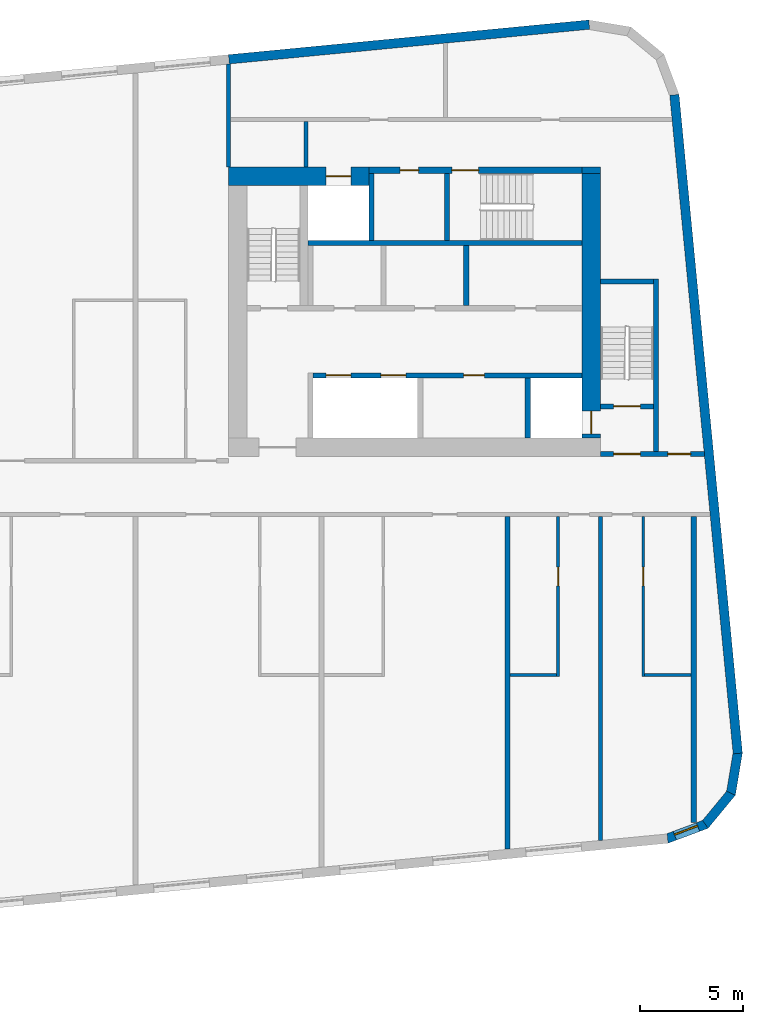
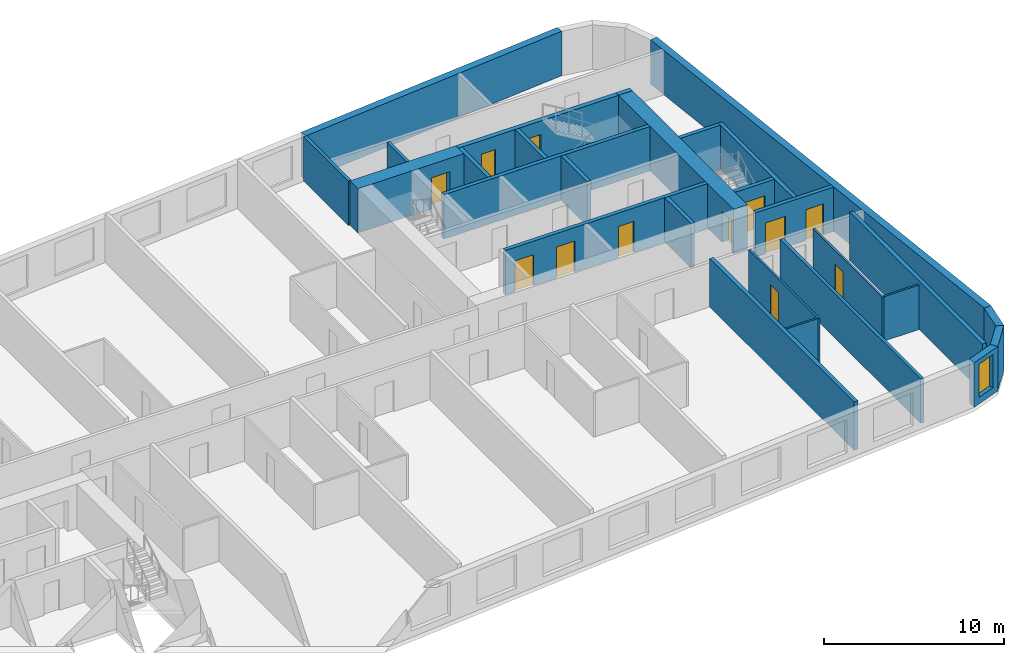
# One storey, part 6 of 11: 28 walls, 12 doors, 1 window, 13 openings.
"""IFC4 building model written with IfcOpenShell, lengths in metres."""

from ifc_helpers import new_model, si_unit, direction, frame, frame_2d, origin, place, context, subcontext, project, spatial, polyline, rectangle, outline, extrude, material, layer, layer_set, type_object, element, fill, save


model = new_model("IFC4")

# Units and contexts
model_context = context("Model", 3, precision=1e-05, world=origin(), true_north=direction((0.0, 1.0)))
body_context = subcontext(model_context, "Body", "Model", "MODEL_VIEW")
ifc_project = project(units=[si_unit("LENGTHUNIT", "METRE"), si_unit("AREAUNIT", "SQUARE_METRE"), si_unit("VOLUMEUNIT", "CUBIC_METRE"), si_unit("PLANEANGLEUNIT", "RADIAN"), si_unit("MASSUNIT", "GRAM", prefix="KILO")], contexts=[model_context])

# Site, building, storey
site_placement = place(None, origin())
site = spatial("IfcSite", under=ifc_project, at=site_placement, CompositionType="ELEMENT")
building_placement = place(site_placement, origin())
building = spatial("IfcBuilding", under=site, at=building_placement, Name="Kajstack Hotel Tower", CompositionType="ELEMENT")
storey_placement = place(building_placement, frame((0.0, 0.0, 275.10009765625)))
storey = spatial("IfcBuildingStorey", under=building, at=storey_placement, Name="L68", CompositionType="ELEMENT", Elevation=275.10009765625)

# Wall, opening, door
ifc_material_1 = material(Name="Concrete C60/75", Category="concrete")
ifc_layer_1 = layer(ifc_material_1, 0.89990234375)
ifc_layer_set_1 = layer_set([ifc_layer_1], Name="Core wall 900")
wall_type_1 = type_object("IfcWallType", Name="Core wall 900", PredefinedType="SHEAR", material=ifc_layer_set_1)
wall_1_placement = place(storey_placement, frame((13.5, 15.050048828125, 0.0), z_axis=(0.0, 0.0, 1.0), x_axis=(1.0, 0.0, 0.0)))
wall_1 = element("IfcWall", 1, at=wall_1_placement, inside=storey, type_object=wall_type_1, Name="Core wall E RS", PredefinedType="SHEAR", context=body_context, shape_type="SweptSolid", body=[
    extrude(rectangle(XDim=6.800048828125, YDim=0.89990234375, at=frame_2d((3.39990234375, 0.0))), origin(), (0.0, 0.0, 1.0), 3.02001953125),
])
opening_1_placement = place(wall_1_placement, frame((4.72509765625, 0.0, 0.0)))
opening_1 = element("IfcOpeningElement", 2, at=opening_1_placement, cuts=wall_1, Name="Opening LD-SV2", PredefinedType="OPENING", context=body_context, shape_type="SweptSolid", body=[
    extrude(rectangle(XDim=1.199951171875, YDim=2.10009765625, at=frame_2d((0.60009765625, 1.050048828125))), frame((0.0, 0.4599609375, 0.0), z_axis=(0.0, -1.0, 0.0), x_axis=(1.0, 0.0, 0.0)), (0.0, 0.0, 1.0), 0.919921875),
])
ifc_material_2 = material(Name="Stainless steel", Category="steel")
door_type_1 = type_object("IfcDoorType", Name="Lift landing door 1200", OperationType="SLIDING_TO_LEFT", PredefinedType="DOOR", material=ifc_material_2)
door_1_placement = place(opening_1_placement, origin())
door_1 = element("IfcDoor", 3, at=door_1_placement, inside=storey, type_object=door_type_1, Name="Landing door SV2", OperationType="SLIDING_TO_LEFT", OverallHeight=2.10009765625, OverallWidth=1.199951171875, PredefinedType="DOOR", context=body_context, shape_type="SweptSolid", body=[
    extrude(rectangle(XDim=1.199951171875, YDim=2.10009765625, at=frame_2d((0.60009765625, 1.050048828125))), frame((0.0, 0.02490234375, 0.0), z_axis=(0.0, -1.0, 0.0), x_axis=(1.0, 0.0, 0.0)), (0.0, 0.0, 1.0), 0.050048828125),
])
fill(opening_1, door_1)

# Wall
wall_2_placement = place(storey_placement, frame((30.60009765625, 15.35009765625, 0.0), z_axis=(0.0, 0.0, 1.0), x_axis=(1.0, 0.0, 0.0)))
element("IfcWall", 4, at=wall_2_placement, inside=storey, type_object=wall_type_1, Name="Core wall E RSW", PredefinedType="SHEAR", context=body_context, shape_type="SweptSolid", body=[
    extrude(rectangle(XDim=0.89990234375, YDim=0.300048828125, at=frame_2d((0.449951171875, 0.0))), origin(), (0.0, 0.0, 1.0), 3.02001953125),
])

# Wall, opening, door
wall_3_placement = place(storey_placement, frame((31.050048828125, 2.39990234375, 0.0), z_axis=(0.0, 0.0, 1.0), x_axis=(0.0, 1.0, 0.0)))
wall_3 = element("IfcWall", 5, at=wall_3_placement, inside=storey, type_object=wall_type_1, Name="Core wall E RW", PredefinedType="SHEAR", context=body_context, shape_type="SweptSolid", body=[
    extrude(rectangle(XDim=12.800048828125, YDim=0.89990234375, at=frame_2d((6.39990234375, 0.0))), origin(), (0.0, 0.0, 1.0), 3.02001953125),
])
opening_2_placement = place(wall_3_placement, frame((0.199951171875, 0.0, 0.0)))
opening_2 = element("IfcOpeningElement", 6, at=opening_2_placement, cuts=wall_3, Name="Opening LD-FF2", PredefinedType="OPENING", context=body_context, shape_type="SweptSolid", body=[
    extrude(rectangle(XDim=1.10009765625, YDim=2.10009765625, at=frame_2d((0.550048828125, 1.050048828125))), frame((0.0, 0.4599609375, 0.0), z_axis=(0.0, -1.0, 0.0), x_axis=(1.0, 0.0, 0.0)), (0.0, 0.0, 1.0), 0.919921875),
])
door_type_2 = type_object("IfcDoorType", Name="Fire-fighting lift landing door 1100", OperationType="SLIDING_TO_LEFT", PredefinedType="DOOR", material=ifc_material_2)
door_2_placement = place(opening_2_placement, origin())
door_2 = element("IfcDoor", 7, at=door_2_placement, inside=storey, type_object=door_type_2, Name="Landing door FF2", OperationType="SLIDING_TO_LEFT", OverallHeight=2.10009765625, OverallWidth=1.10009765625, PredefinedType="DOOR", context=body_context, shape_type="SweptSolid", body=[
    extrude(rectangle(XDim=1.10009765625, YDim=2.10009765625, at=frame_2d((0.550048828125, 1.050048828125))), frame((0.0, 0.02490234375, 0.0), z_axis=(0.0, -1.0, 0.0), x_axis=(1.0, 0.0, 0.0)), (0.0, 0.0, 1.0), 0.050048828125),
])
fill(opening_2, door_2)

# Walls
ifc_material_3 = material(Name="Twin-frame gypsum board on steel studs, mineral wool", Category="steel")
ifc_layer_2 = layer(ifc_material_3, 0.199951171875)
ifc_layer_set_2 = layer_set([ifc_layer_2], Name="Demising wall 200")
wall_type_2 = type_object("IfcWallType", Name="Demising wall 200", PredefinedType="PARTITIONING", material=ifc_layer_set_2)
wall_4_placement = place(storey_placement, frame((13.5, 15.5, 0.0), z_axis=(0.0, 0.0, 1.0), x_axis=(0.0, 1.0, 0.0)))
element("IfcWall", 8, at=wall_4_placement, inside=storey, type_object=wall_type_2, Name="G-wall-L68-001", PredefinedType="PARTITIONING", context=body_context, shape_type="SweptSolid", body=[
    extrude(rectangle(XDim=4.985107421875, YDim=0.199951171875, at=frame_2d((2.49267578125, 0.0))), origin(), (0.0, 0.0, 1.0), 3.02001953125),
])
wall_5_placement = place(storey_placement, frame((31.5, -17.06298828125, 0.0), z_axis=(0.0, 0.0, 1.0), x_axis=(0.0, 1.0, 0.0)))
element("IfcWall", 9, at=wall_5_placement, inside=storey, type_object=wall_type_2, Name="G-wall-L68-029", PredefinedType="PARTITIONING", context=body_context, shape_type="SweptSolid", body=[
    extrude(rectangle(XDim=15.6630859375, YDim=0.199951171875, at=frame_2d((7.83154296875, 0.0))), origin(), (0.0, 0.0, 1.0), 3.02001953125),
])
ifc_material_4 = material(Name="Concrete C40/50", Category="concrete")
ifc_layer_3 = layer(ifc_material_4, 0.449951171875)
ifc_layer_set_3 = layer_set([ifc_layer_3], Name="EW-CORE")
wall_type_3 = type_object("IfcWallType", Name="EW-CORE", PredefinedType="SOLIDWALL", material=ifc_layer_set_3)
wall_6_placement = place(storey_placement, frame((30.94580078125, 22.390625, 0.0), z_axis=(0.0, 0.0, 1.0), x_axis=(-0.995396397117, -0.095843688398, 0.0)))
element("IfcWall", 10, at=wall_6_placement, inside=storey, type_object=wall_type_3, Name="E-wall-L68-12-00", PredefinedType="SOLIDWALL", context=body_context, shape_type="SweptSolid", body=[
    extrude(rectangle(XDim=17.5048828125, YDim=0.449951171875, at=frame_2d((8.75244140625, 0.0))), origin(), (0.0, 0.0, 1.0), 3.02001953125),
])

# Wall, opening, window
ifc_material_5 = material(Name="Terracotta-faced brick masonry", Category="masonry")
ifc_layer_4 = layer(ifc_material_5, 0.449951171875)
ifc_layer_set_4 = layer_set([ifc_layer_4], Name="EW-TERRA")
wall_type_4 = type_object("IfcWallType", Name="EW-TERRA", PredefinedType="SOLIDWALL", material=ifc_layer_set_4)
wall_7_placement = place(storey_placement, frame((34.67919921875, -16.990478515625, 0.0), z_axis=(0.0, 0.0, 1.0), x_axis=(0.936677599948, 0.350192909346, 0.0)))
wall_7 = element("IfcWall", 11, at=wall_7_placement, inside=storey, type_object=wall_type_4, Name="E-wall-L68-05-00", PredefinedType="SOLIDWALL", context=body_context, shape_type="SweptSolid", body=[
    extrude(outline(polyline([(0.0, -0.22509765625), (2.070556640625, -0.22509765625), (1.949951171875, 0.22509765625), (0.12060546875, 0.22509765625), (0.0, -0.22509765625)])), origin(), (0.0, 0.0, 1.0), 3.02001953125),
])
opening_3_placement = place(wall_7_placement, frame((0.435302734375, 0.0, 0.449951171875)))
opening_3 = element("IfcOpeningElement", 12, at=opening_3_placement, cuts=wall_7, Name="Opening W3", PredefinedType="OPENING", context=body_context, shape_type="SweptSolid", body=[
    extrude(rectangle(XDim=1.199951171875, YDim=2.25, at=frame_2d((0.60009765625, 1.125))), frame((0.0, 0.23486328125, 0.0), z_axis=(0.0, -1.0, 0.0), x_axis=(1.0, 0.0, 0.0)), (0.0, 0.0, 1.0), 0.469970703125),
])
ifc_material_6 = material(Name="Timber-aluminium window, triple glazed", Category="wood")
window_type = type_object("IfcWindowType", Name="WG3", PartitioningType="SINGLE_PANEL", PredefinedType="WINDOW", material=ifc_material_6)
window_placement = place(opening_3_placement, origin())
window = element("IfcWindow", 13, at=window_placement, inside=storey, type_object=window_type, Name="Window W3 L68-05", OverallHeight=2.25, OverallWidth=1.199951171875, PartitioningType="SINGLE_PANEL", PredefinedType="WINDOW", context=body_context, shape_type="SweptSolid", body=[
    extrude(rectangle(XDim=1.199951171875, YDim=2.25, at=frame_2d((0.60009765625, 1.125))), frame((0.0, 0.090087890625, 0.0), z_axis=(0.0, -1.0, 0.0), x_axis=(1.0, 0.0, 0.0)), (0.0, 0.0, 1.0), 0.06005859375),
])
fill(opening_3, window)

# Walls
wall_8_placement = place(storey_placement, frame((36.52392578125, -16.3330078125, 0.0), z_axis=(0.0, 0.0, 1.0), x_axis=(0.636046112757, 0.771651049663, 0.0)))
element("IfcWall", 14, at=wall_8_placement, inside=storey, type_object=wall_type_4, Name="E-wall-L68-06-00", PredefinedType="SOLIDWALL", context=body_context, shape_type="SweptSolid", body=[
    extrude(outline(polyline([(0.0, -0.224853515625), (2.070556640625, -0.22509765625), (1.949951171875, 0.22509765625), (0.12060546875, 0.22509765625), (0.0, -0.224853515625)])), origin(), (0.0, 0.0, 1.0), 3.02001953125),
])
wall_9_placement = place(storey_placement, frame((37.79248046875, -14.84130859375, 0.0), z_axis=(0.0, 0.0, 1.0), x_axis=(0.165068144653, 0.986282164302, 0.0)))
element("IfcWall", 15, at=wall_9_placement, inside=storey, type_object=wall_type_4, Name="E-wall-L68-07-00", PredefinedType="SOLIDWALL", context=body_context, shape_type="SweptSolid", body=[
    extrude(outline(polyline([(0.0, -0.22509765625), (2.070556640625, -0.22509765625), (1.949951171875, 0.224853515625), (0.12060546875, 0.224853515625), (0.0, -0.22509765625)])), origin(), (0.0, 0.0, 1.0), 3.02001953125),
])
wall_10_placement = place(storey_placement, frame((38.13232421875, -12.85791015625, 0.0), z_axis=(0.0, 0.0, 1.0), x_axis=(-0.095847749461, 0.995396006082, 0.0)))
element("IfcWall", 16, at=wall_10_placement, inside=storey, type_object=wall_type_4, Name="E-wall-L68-08-00", PredefinedType="SOLIDWALL", context=body_context, shape_type="SweptSolid", body=[
    extrude(rectangle(XDim=32.0, YDim=0.449951171875, at=frame_2d((16.0, 0.0))), origin(), (0.0, 0.0, 1.0), 3.02001953125),
])

# Wall, opening, door
ifc_material_7 = material(Name="Gypsum board and tiled backer on steel studs", Category="steel")
ifc_layer_5 = layer(ifc_material_7, 0.125)
ifc_layer_set_5 = layer_set([ifc_layer_5], Name="En-suite wall 125")
wall_type_5 = type_object("IfcWallType", Name="En-suite wall 125", PredefinedType="PARTITIONING", material=ifc_layer_set_5)
wall_11_placement = place(storey_placement, frame((29.43798828125, -9.125, 0.0), z_axis=(0.0, 0.0, 1.0), x_axis=(0.0, 1.0, 0.0)))
wall_11 = element("IfcWall", 17, at=wall_11_placement, inside=storey, type_object=wall_type_5, Name="G-wall-L68-030", PredefinedType="PARTITIONING", context=body_context, shape_type="SweptSolid", body=[
    extrude(rectangle(XDim=7.72509765625, YDim=0.125, at=frame_2d((3.862548828125, 0.0))), origin(), (0.0, 0.0, 1.0), 3.02001953125),
])
opening_4_placement = place(wall_11_placement, frame((4.375, 0.0, 0.0)))
opening_4 = element("IfcOpeningElement", 18, at=opening_4_placement, cuts=wall_11, Name="Opening 68026", PredefinedType="OPENING", context=body_context, shape_type="SweptSolid", body=[
    extrude(rectangle(XDim=0.89990234375, YDim=2.10009765625, at=frame_2d((0.449951171875, 1.050048828125))), frame((0.0, 0.072509765625, 0.0), z_axis=(0.0, -1.0, 0.0), x_axis=(1.0, 0.0, 0.0)), (0.0, 0.0, 1.0), 0.14501953125),
])
ifc_material_8 = material(Name="Painted timber door leaf", Category="wood")
door_type_3 = type_object("IfcDoorType", Name="Room door 900", OperationType="SINGLE_SWING_LEFT", PredefinedType="DOOR", material=ifc_material_8)
door_3_placement = place(opening_4_placement, origin())
door_3 = element("IfcDoor", 19, at=door_3_placement, inside=storey, type_object=door_type_3, Name="G-door-L68-26", OperationType="SINGLE_SWING_RIGHT", OverallHeight=2.10009765625, OverallWidth=0.89990234375, PredefinedType="DOOR", context=body_context, shape_type="SweptSolid", body=[
    extrude(rectangle(XDim=0.89990234375, YDim=2.10009765625, at=frame_2d((0.449951171875, 1.050048828125))), frame((0.0, 0.02490234375, 0.0), z_axis=(0.0, -1.0, 0.0), x_axis=(1.0, 0.0, 0.0)), (0.0, 0.0, 1.0), 0.050048828125),
])
fill(opening_4, door_3)

# Wall
wall_12_placement = place(storey_placement, frame((27.125, -9.06201171875, 0.0), z_axis=(0.0, 0.0, 1.0), x_axis=(1.0, 0.0, 0.0)))
element("IfcWall", 20, at=wall_12_placement, inside=storey, type_object=wall_type_5, Name="G-wall-L68-031", PredefinedType="PARTITIONING", context=body_context, shape_type="SweptSolid", body=[
    extrude(rectangle(XDim=2.25, YDim=0.125, at=frame_2d((1.125, 0.0))), origin(), (0.0, 0.0, 1.0), 3.02001953125),
])

# Wall, opening, door
wall_13_placement = place(storey_placement, frame((33.56201171875, -9.125, 0.0), z_axis=(0.0, 0.0, 1.0), x_axis=(0.0, 1.0, 0.0)))
wall_13 = element("IfcWall", 21, at=wall_13_placement, inside=storey, type_object=wall_type_5, Name="G-wall-L68-032", PredefinedType="PARTITIONING", context=body_context, shape_type="SweptSolid", body=[
    extrude(rectangle(XDim=7.72509765625, YDim=0.125, at=frame_2d((3.862548828125, 0.0))), origin(), (0.0, 0.0, 1.0), 3.02001953125),
])
opening_5_placement = place(wall_13_placement, frame((4.375, 0.0, 0.0)))
opening_5 = element("IfcOpeningElement", 22, at=opening_5_placement, cuts=wall_13, Name="Opening 68028", PredefinedType="OPENING", context=body_context, shape_type="SweptSolid", body=[
    extrude(rectangle(XDim=0.89990234375, YDim=2.10009765625, at=frame_2d((0.449951171875, 1.050048828125))), frame((0.0, 0.072509765625, 0.0), z_axis=(0.0, -1.0, 0.0), x_axis=(1.0, 0.0, 0.0)), (0.0, 0.0, 1.0), 0.14501953125),
])
door_4_placement = place(opening_5_placement, origin())
door_4 = element("IfcDoor", 23, at=door_4_placement, inside=storey, type_object=door_type_3, Name="G-door-L68-28", OperationType="SINGLE_SWING_LEFT", OverallHeight=2.10009765625, OverallWidth=0.89990234375, PredefinedType="DOOR", context=body_context, shape_type="SweptSolid", body=[
    extrude(rectangle(XDim=0.89990234375, YDim=2.10009765625, at=frame_2d((0.449951171875, 1.050048828125))), frame((0.0, 0.02490234375, 0.0), z_axis=(0.0, -1.0, 0.0), x_axis=(1.0, 0.0, 0.0)), (0.0, 0.0, 1.0), 0.050048828125),
])
fill(opening_5, door_4)

# Walls
wall_14_placement = place(storey_placement, frame((33.625, -9.06201171875, 0.0), z_axis=(0.0, 0.0, 1.0), x_axis=(1.0, 0.0, 0.0)))
element("IfcWall", 24, at=wall_14_placement, inside=storey, type_object=wall_type_5, Name="G-wall-L68-033", PredefinedType="PARTITIONING", context=body_context, shape_type="SweptSolid", body=[
    extrude(rectangle(XDim=2.25, YDim=0.125, at=frame_2d((1.125, 0.0))), origin(), (0.0, 0.0, 1.0), 3.02001953125),
])
ifc_layer_6 = layer(ifc_material_4, 0.25)
ifc_layer_set_6 = layer_set([ifc_layer_6], Name="RC cross wall 250 C40/50")
wall_type_6 = type_object("IfcWallType", Name="RC cross wall 250 C40/50", PredefinedType="SHEAR", material=ifc_layer_set_6)
wall_15_placement = place(storey_placement, frame((27.0, -17.47412109375, 0.0), z_axis=(0.0, 0.0, 1.0), x_axis=(0.0, 1.0, 0.0)))
element("IfcWall", 25, at=wall_15_placement, inside=storey, type_object=wall_type_6, Name="S-wall-L68-11", PredefinedType="SHEAR", context=body_context, shape_type="SweptSolid", body=[
    extrude(rectangle(XDim=16.07421875, YDim=0.25, at=frame_2d((8.037109375, 0.0))), origin(), (0.0, 0.0, 1.0), 3.2998046875),
])
wall_16_placement = place(storey_placement, frame((36.0, -16.198974609375, 0.0), z_axis=(0.0, 0.0, 1.0), x_axis=(0.0, 1.0, 0.0)))
element("IfcWall", 26, at=wall_16_placement, inside=storey, type_object=wall_type_6, Name="S-wall-L68-12", PredefinedType="SHEAR", context=body_context, shape_type="SweptSolid", body=[
    extrude(rectangle(XDim=14.799072265625, YDim=0.25, at=frame_2d((7.3994140625, 0.0))), origin(), (0.0, 0.0, 1.0), 3.2998046875),
])
ifc_material_9 = material(Name="Concrete block masonry", Category="masonry")
ifc_layer_7 = layer(ifc_material_9, 0.25)
ifc_layer_set_7 = layer_set([ifc_layer_7], Name="Riser partition 250")
wall_type_7 = type_object("IfcWallType", Name="Riser partition 250", PredefinedType="PARTITIONING", material=ifc_layer_set_7)
wall_17_placement = place(storey_placement, frame((25.0, 8.800048828125, 0.0), z_axis=(0.0, 0.0, 1.0), x_axis=(0.0, 1.0, 0.0)))
element("IfcWall", 27, at=wall_17_placement, inside=storey, type_object=wall_type_7, Name="Partition E BF0", PredefinedType="PARTITIONING", context=body_context, shape_type="SweptSolid", body=[
    extrude(rectangle(XDim=2.89990234375, YDim=0.25, at=frame_2d((1.449951171875, 0.0))), origin(), (0.0, 0.0, 1.0), 3.02001953125),
])

# Wall, openings, doors
ifc_material_10 = material(Name="Gypsum board on steel studs, mineral wool", Category="steel")
ifc_layer_8 = layer(ifc_material_10, 0.199951171875)
ifc_layer_set_8 = layer_set([ifc_layer_8], Name="Service partition 200")
wall_type_8 = type_object("IfcWallType", Name="Service partition 200", PredefinedType="PARTITIONING", material=ifc_layer_set_8)
wall_18_placement = place(storey_placement, frame((31.5, 1.625, 0.0), z_axis=(0.0, 0.0, 1.0), x_axis=(1.0, 0.0, 0.0)))
wall_18 = element("IfcWall", 28, at=wall_18_placement, inside=storey, type_object=wall_type_8, Name="Partition E SN", PredefinedType="PARTITIONING", context=body_context, shape_type="SweptSolid", body=[
    extrude(rectangle(XDim=5.01171875, YDim=0.25, at=frame_2d((2.505859375, 0.0))), origin(), (0.0, 0.0, 1.0), 3.02001953125),
])
opening_6_placement = place(wall_18_placement, frame((0.625, 0.0, 0.0)))
opening_6 = element("IfcOpeningElement", 29, at=opening_6_placement, cuts=wall_18, Name="Opening 68E06", PredefinedType="OPENING", context=body_context, shape_type="SweptSolid", body=[
    extrude(rectangle(XDim=1.300048828125, YDim=2.10009765625, at=frame_2d((0.64990234375, 1.050048828125))), frame((0.0, 0.135009765625, 0.0), z_axis=(0.0, -1.0, 0.0), x_axis=(1.0, 0.0, 0.0)), (0.0, 0.0, 1.0), 0.27001953125),
])
opening_7_placement = place(wall_18_placement, frame((3.25, 0.0, 0.0)))
opening_7 = element("IfcOpeningElement", 30, at=opening_7_placement, cuts=wall_18, Name="Opening 68E08", PredefinedType="OPENING", context=body_context, shape_type="SweptSolid", body=[
    extrude(rectangle(XDim=1.10009765625, YDim=2.10009765625, at=frame_2d((0.550048828125, 1.050048828125))), frame((0.0, 0.135009765625, 0.0), z_axis=(0.0, -1.0, 0.0), x_axis=(1.0, 0.0, 0.0)), (0.0, 0.0, 1.0), 0.27001953125),
])
ifc_material_11 = material(Name="Steel leaf, fire-rated", Category="steel")
door_type_4 = type_object("IfcDoorType", Name="Fire lobby door 1300", OperationType="SINGLE_SWING_LEFT", PredefinedType="DOOR", material=ifc_material_11)
door_5_placement = place(opening_6_placement, origin())
door_5 = element("IfcDoor", 31, at=door_5_placement, inside=storey, type_object=door_type_4, Name="Door 68E06", OperationType="SINGLE_SWING_LEFT", OverallHeight=2.10009765625, OverallWidth=1.300048828125, PredefinedType="DOOR", context=body_context, shape_type="SweptSolid", body=[
    extrude(rectangle(XDim=1.300048828125, YDim=2.10009765625, at=frame_2d((0.64990234375, 1.050048828125))), frame((0.0, 0.02490234375, 0.0), z_axis=(0.0, -1.0, 0.0), x_axis=(1.0, 0.0, 0.0)), (0.0, 0.0, 1.0), 0.050048828125),
])
fill(opening_6, door_5)
ifc_material_12 = material(Name="Timber leaf, fire-rated", Category="wood")
door_type_5 = type_object("IfcDoorType", Name="Service corridor door 1100", OperationType="SINGLE_SWING_LEFT", PredefinedType="DOOR", material=ifc_material_12)
door_6_placement = place(opening_7_placement, origin())
door_6 = element("IfcDoor", 32, at=door_6_placement, inside=storey, type_object=door_type_5, Name="Door 68E08", OperationType="SINGLE_SWING_LEFT", OverallHeight=2.10009765625, OverallWidth=1.10009765625, PredefinedType="DOOR", context=body_context, shape_type="SweptSolid", body=[
    extrude(rectangle(XDim=1.10009765625, YDim=2.10009765625, at=frame_2d((0.550048828125, 1.050048828125))), frame((0.0, 0.02490234375, 0.0), z_axis=(0.0, -1.0, 0.0), x_axis=(1.0, 0.0, 0.0)), (0.0, 0.0, 1.0), 0.050048828125),
])
fill(opening_7, door_6)

# Wall
wall_19_placement = place(storey_placement, frame((17.25, 15.5, 0.0), z_axis=(0.0, 0.0, 1.0), x_axis=(0.0, 1.0, 0.0)))
element("IfcWall", 33, at=wall_19_placement, inside=storey, type_object=wall_type_8, Name="Partition E SCE", PredefinedType="PARTITIONING", context=body_context, shape_type="SweptSolid", body=[
    extrude(rectangle(XDim=2.199951171875, YDim=0.199951171875, at=frame_2d((1.10009765625, 0.0))), origin(), (0.0, 0.0, 1.0), 3.02001953125),
])

# Wall, openings, doors
ifc_material_13 = material(Name="Concrete C50/60", Category="concrete")
ifc_layer_9 = layer(ifc_material_13, 0.25)
ifc_layer_set_9 = layer_set([ifc_layer_9], Name="Shaft wall 250")
wall_type_9 = type_object("IfcWallType", Name="Shaft wall 250", PredefinedType="SHEAR", material=ifc_layer_set_9)
wall_20_placement = place(storey_placement, frame((20.300048828125, 15.35009765625, 0.0), z_axis=(0.0, 0.0, 1.0), x_axis=(1.0, 0.0, 0.0)))
wall_20 = element("IfcWall", 34, at=wall_20_placement, inside=storey, type_object=wall_type_9, Name="Core wall E RSS", PredefinedType="SHEAR", context=body_context, shape_type="SweptSolid", body=[
    extrude(rectangle(XDim=10.300048828125, YDim=0.300048828125, at=frame_2d((5.14990234375, 0.0))), origin(), (0.0, 0.0, 1.0), 3.02001953125),
])
opening_8_placement = place(wall_20_placement, frame((4.0, 0.0, 0.0)))
opening_8 = element("IfcOpeningElement", 35, at=opening_8_placement, cuts=wall_20, Name="Opening 68E10", PredefinedType="OPENING", context=body_context, shape_type="SweptSolid", body=[
    extrude(rectangle(XDim=1.300048828125, YDim=2.10009765625, at=frame_2d((0.64990234375, 1.050048828125))), frame((0.0, 0.159912109375, 0.0), z_axis=(0.0, -1.0, 0.0), x_axis=(1.0, 0.0, 0.0)), (0.0, 0.0, 1.0), 0.320068359375),
])
opening_9_placement = place(wall_20_placement, frame((1.5, 0.0, 0.0)))
opening_9 = element("IfcOpeningElement", 36, at=opening_9_placement, cuts=wall_20, Name="Opening 68E11", PredefinedType="OPENING", context=body_context, shape_type="SweptSolid", body=[
    extrude(rectangle(XDim=0.89990234375, YDim=2.10009765625, at=frame_2d((0.449951171875, 1.050048828125))), frame((0.0, 0.159912109375, 0.0), z_axis=(0.0, -1.0, 0.0), x_axis=(1.0, 0.0, 0.0)), (0.0, 0.0, 1.0), 0.320068359375),
])
door_type_6 = type_object("IfcDoorType", Name="Service door 900", OperationType="SINGLE_SWING_LEFT", PredefinedType="DOOR", material=ifc_material_12)
door_7_placement = place(opening_9_placement, origin())
door_7 = element("IfcDoor", 37, at=door_7_placement, inside=storey, type_object=door_type_6, Name="Door 68E11", OperationType="SINGLE_SWING_RIGHT", OverallHeight=2.10009765625, OverallWidth=0.89990234375, PredefinedType="DOOR", context=body_context, shape_type="SweptSolid", body=[
    extrude(rectangle(XDim=0.89990234375, YDim=2.10009765625, at=frame_2d((0.449951171875, 1.050048828125))), frame((0.0, 0.02490234375, 0.0), z_axis=(0.0, -1.0, 0.0), x_axis=(1.0, 0.0, 0.0)), (0.0, 0.0, 1.0), 0.050048828125),
])
fill(opening_9, door_7)
door_type_7 = type_object("IfcDoorType", Name="Stair door 1300", OperationType="SINGLE_SWING_LEFT", PredefinedType="DOOR", material=ifc_material_11)
door_8_placement = place(opening_8_placement, origin())
door_8 = element("IfcDoor", 38, at=door_8_placement, inside=storey, type_object=door_type_7, Name="Door 68E10", OperationType="SINGLE_SWING_LEFT", OverallHeight=2.10009765625, OverallWidth=1.300048828125, PredefinedType="DOOR", context=body_context, shape_type="SweptSolid", body=[
    extrude(rectangle(XDim=1.300048828125, YDim=2.10009765625, at=frame_2d((0.64990234375, 1.050048828125))), frame((0.0, 0.02490234375, 0.0), z_axis=(0.0, -1.0, 0.0), x_axis=(1.0, 0.0, 0.0)), (0.0, 0.0, 1.0), 0.050048828125),
])
fill(opening_8, door_8)

wall_21_placement = place(storey_placement, frame((17.60009765625, 5.425048828125, 0.0), z_axis=(0.0, 0.0, 1.0), x_axis=(1.0, 0.0, 0.0)))
wall_21 = element("IfcWall", 39, at=wall_21_placement, inside=storey, type_object=wall_type_9, Name="Core wall E FA", PredefinedType="SHEAR", context=body_context, shape_type="SweptSolid", body=[
    extrude(rectangle(XDim=13.0, YDim=0.25, at=frame_2d((6.5, 0.0))), origin(), (0.0, 0.0, 1.0), 3.02001953125),
])
opening_10_placement = place(wall_21_placement, frame((3.27490234375, 0.0, 0.0)))
opening_10 = element("IfcOpeningElement", 40, at=opening_10_placement, cuts=wall_21, Name="Opening LD-HR3", PredefinedType="OPENING", context=body_context, shape_type="SweptSolid", body=[
    extrude(rectangle(XDim=1.199951171875, YDim=2.10009765625, at=frame_2d((0.60009765625, 1.050048828125))), frame((0.0, 0.135009765625, 0.0), z_axis=(0.0, -1.0, 0.0), x_axis=(1.0, 0.0, 0.0)), (0.0, 0.0, 1.0), 0.27001953125),
])
opening_11_placement = place(wall_21_placement, frame((0.625, 0.0, 0.0)))
opening_11 = element("IfcOpeningElement", 41, at=opening_11_placement, cuts=wall_21, Name="Opening LD-HR4", PredefinedType="OPENING", context=body_context, shape_type="SweptSolid", body=[
    extrude(rectangle(XDim=1.199951171875, YDim=2.10009765625, at=frame_2d((0.60009765625, 1.050048828125))), frame((0.0, 0.135009765625, 0.0), z_axis=(0.0, -1.0, 0.0), x_axis=(1.0, 0.0, 0.0)), (0.0, 0.0, 1.0), 0.27001953125),
])
opening_12_placement = place(wall_21_placement, frame((7.27490234375, 0.0, 0.0)))
opening_12 = element("IfcOpeningElement", 42, at=opening_12_placement, cuts=wall_21, Name="Opening 68E15", PredefinedType="OPENING", context=body_context, shape_type="SweptSolid", body=[
    extrude(rectangle(XDim=1.0, YDim=2.10009765625, at=frame_2d((0.5, 1.050048828125))), frame((0.0, 0.135009765625, 0.0), z_axis=(0.0, -1.0, 0.0), x_axis=(1.0, 0.0, 0.0)), (0.0, 0.0, 1.0), 0.27001953125),
])
door_9_placement = place(opening_10_placement, origin())
door_9 = element("IfcDoor", 43, at=door_9_placement, inside=storey, type_object=door_type_1, Name="Landing door HR3", OperationType="SLIDING_TO_RIGHT", OverallHeight=2.10009765625, OverallWidth=1.199951171875, PredefinedType="DOOR", context=body_context, shape_type="SweptSolid", body=[
    extrude(rectangle(XDim=1.199951171875, YDim=2.10009765625, at=frame_2d((0.60009765625, 1.050048828125))), frame((0.0, 0.02490234375, 0.0), z_axis=(0.0, -1.0, 0.0), x_axis=(1.0, 0.0, 0.0)), (0.0, 0.0, 1.0), 0.050048828125),
])
fill(opening_10, door_9)
door_10_placement = place(opening_11_placement, origin())
door_10 = element("IfcDoor", 44, at=door_10_placement, inside=storey, type_object=door_type_1, Name="Landing door HR4", OperationType="SLIDING_TO_LEFT", OverallHeight=2.10009765625, OverallWidth=1.199951171875, PredefinedType="DOOR", context=body_context, shape_type="SweptSolid", body=[
    extrude(rectangle(XDim=1.199951171875, YDim=2.10009765625, at=frame_2d((0.60009765625, 1.050048828125))), frame((0.0, 0.02490234375, 0.0), z_axis=(0.0, -1.0, 0.0), x_axis=(1.0, 0.0, 0.0)), (0.0, 0.0, 1.0), 0.050048828125),
])
fill(opening_11, door_10)
door_type_8 = type_object("IfcDoorType", Name="Service room door 1000", OperationType="SINGLE_SWING_LEFT", PredefinedType="DOOR", material=ifc_material_12)
door_11_placement = place(opening_12_placement, origin())
door_11 = element("IfcDoor", 45, at=door_11_placement, inside=storey, type_object=door_type_8, Name="Door 68E15", OperationType="SINGLE_SWING_LEFT", OverallHeight=2.10009765625, OverallWidth=1.0, PredefinedType="DOOR", context=body_context, shape_type="SweptSolid", body=[
    extrude(rectangle(XDim=1.0, YDim=2.10009765625, at=frame_2d((0.5, 1.050048828125))), frame((0.0, 0.02490234375, 0.0), z_axis=(0.0, -1.0, 0.0), x_axis=(1.0, 0.0, 0.0)), (0.0, 0.0, 1.0), 0.050048828125),
])
fill(opening_12, door_11)

# Walls
wall_22_placement = place(storey_placement, frame((27.97509765625, 2.39990234375, 0.0), z_axis=(0.0, 0.0, 1.0), x_axis=(0.0, 1.0, 0.0)))
element("IfcWall", 46, at=wall_22_placement, inside=storey, type_object=wall_type_9, Name="Core wall E AP0", PredefinedType="SHEAR", context=body_context, shape_type="SweptSolid", body=[
    extrude(rectangle(XDim=2.900146484375, YDim=0.25, at=frame_2d((1.4501953125, 0.0))), origin(), (0.0, 0.0, 1.0), 3.02001953125),
])
wall_23_placement = place(storey_placement, frame((17.35009765625, 11.824951171875, 0.0), z_axis=(0.0, 0.0, 1.0), x_axis=(1.0, 0.0, 0.0)))
element("IfcWall", 47, at=wall_23_placement, inside=storey, type_object=wall_type_9, Name="Core wall E RB", PredefinedType="SHEAR", context=body_context, shape_type="SweptSolid", body=[
    extrude(rectangle(XDim=13.25, YDim=0.25, at=frame_2d((6.625, 0.0))), origin(), (0.0, 0.0, 1.0), 3.02001953125),
])
wall_24_placement = place(storey_placement, frame((20.425048828125, 11.949951171875, 0.0), z_axis=(0.0, 0.0, 1.0), x_axis=(0.0, 1.0, 0.0)))
element("IfcWall", 48, at=wall_24_placement, inside=storey, type_object=wall_type_9, Name="Core wall E SVW", PredefinedType="SHEAR", context=body_context, shape_type="SweptSolid", body=[
    extrude(rectangle(XDim=3.25, YDim=0.25, at=frame_2d((1.625, 0.0))), origin(), (0.0, 0.0, 1.0), 3.02001953125),
])

# Wall, opening, door
ifc_layer_10 = layer(ifc_material_4, 0.25)
ifc_layer_set_10 = layer_set([ifc_layer_10], Name="Stair enclosure wall 250")
wall_type_10 = type_object("IfcWallType", Name="Stair enclosure wall 250", PredefinedType="SHEAR", material=ifc_layer_set_10)
wall_25_placement = place(storey_placement, frame((31.5, 3.925048828125, 0.0), z_axis=(0.0, 0.0, 1.0), x_axis=(1.0, 0.0, 0.0)))
wall_25 = element("IfcWall", 49, at=wall_25_placement, inside=storey, type_object=wall_type_10, Name="Core wall E W1N", PredefinedType="SHEAR", context=body_context, shape_type="SweptSolid", body=[
    extrude(rectangle(XDim=2.550048828125, YDim=0.25, at=frame_2d((1.27490234375, 0.0))), origin(), (0.0, 0.0, 1.0), 3.02001953125),
])
opening_13_placement = place(wall_25_placement, frame((0.625, 0.0, 0.0)))
opening_13 = element("IfcOpeningElement", 50, at=opening_13_placement, cuts=wall_25, Name="Opening 68E07", PredefinedType="OPENING", context=body_context, shape_type="SweptSolid", body=[
    extrude(rectangle(XDim=1.300048828125, YDim=2.10009765625, at=frame_2d((0.64990234375, 1.050048828125))), frame((0.0, 0.135009765625, 0.0), z_axis=(0.0, -1.0, 0.0), x_axis=(1.0, 0.0, 0.0)), (0.0, 0.0, 1.0), 0.27001953125),
])
door_12_placement = place(opening_13_placement, origin())
door_12 = element("IfcDoor", 51, at=door_12_placement, inside=storey, type_object=door_type_7, Name="Door 68E07", OperationType="SINGLE_SWING_LEFT", OverallHeight=2.10009765625, OverallWidth=1.300048828125, PredefinedType="DOOR", context=body_context, shape_type="SweptSolid", body=[
    extrude(rectangle(XDim=1.300048828125, YDim=2.10009765625, at=frame_2d((0.64990234375, 1.050048828125))), frame((0.0, 0.02490234375, 0.0), z_axis=(0.0, -1.0, 0.0), x_axis=(1.0, 0.0, 0.0)), (0.0, 0.0, 1.0), 0.050048828125),
])
fill(opening_13, door_12)

# Walls
wall_26_placement = place(storey_placement, frame((34.175048828125, 1.75, 0.0), z_axis=(0.0, 0.0, 1.0), x_axis=(0.0, 1.0, 0.0)))
element("IfcWall", 52, at=wall_26_placement, inside=storey, type_object=wall_type_10, Name="Core wall E W1W", PredefinedType="SHEAR", context=body_context, shape_type="SweptSolid", body=[
    extrude(rectangle(XDim=8.35009765625, YDim=0.25, at=frame_2d((4.175048828125, 0.0))), origin(), (0.0, 0.0, 1.0), 3.02001953125),
])
wall_27_placement = place(storey_placement, frame((31.5, 9.97509765625, 0.0), z_axis=(0.0, 0.0, 1.0), x_axis=(1.0, 0.0, 0.0)))
element("IfcWall", 53, at=wall_27_placement, inside=storey, type_object=wall_type_10, Name="Core wall E W1S", PredefinedType="SHEAR", context=body_context, shape_type="SweptSolid", body=[
    extrude(rectangle(XDim=2.550048828125, YDim=0.25, at=frame_2d((1.27490234375, 0.0))), origin(), (0.0, 0.0, 1.0), 3.02001953125),
])
ifc_layer_11 = layer(ifc_material_13, 0.35009765625)
ifc_layer_set_11 = layer_set([ifc_layer_11], Name="Stair enclosure wall 350")
wall_type_11 = type_object("IfcWallType", Name="Stair enclosure wall 350", PredefinedType="SHEAR", material=ifc_layer_set_11)
wall_28_placement = place(storey_placement, frame((24.074951171875, 11.949951171875, 0.0), z_axis=(0.0, 0.0, 1.0), x_axis=(0.0, 1.0, 0.0)))
element("IfcWall", 54, at=wall_28_placement, inside=storey, type_object=wall_type_11, Name="Core wall E W3E", PredefinedType="SHEAR", context=body_context, shape_type="SweptSolid", body=[
    extrude(rectangle(XDim=3.25, YDim=0.25, at=frame_2d((1.625, 0.0))), origin(), (0.0, 0.0, 1.0), 3.02001953125),
])

save(model, "model.ifc")
